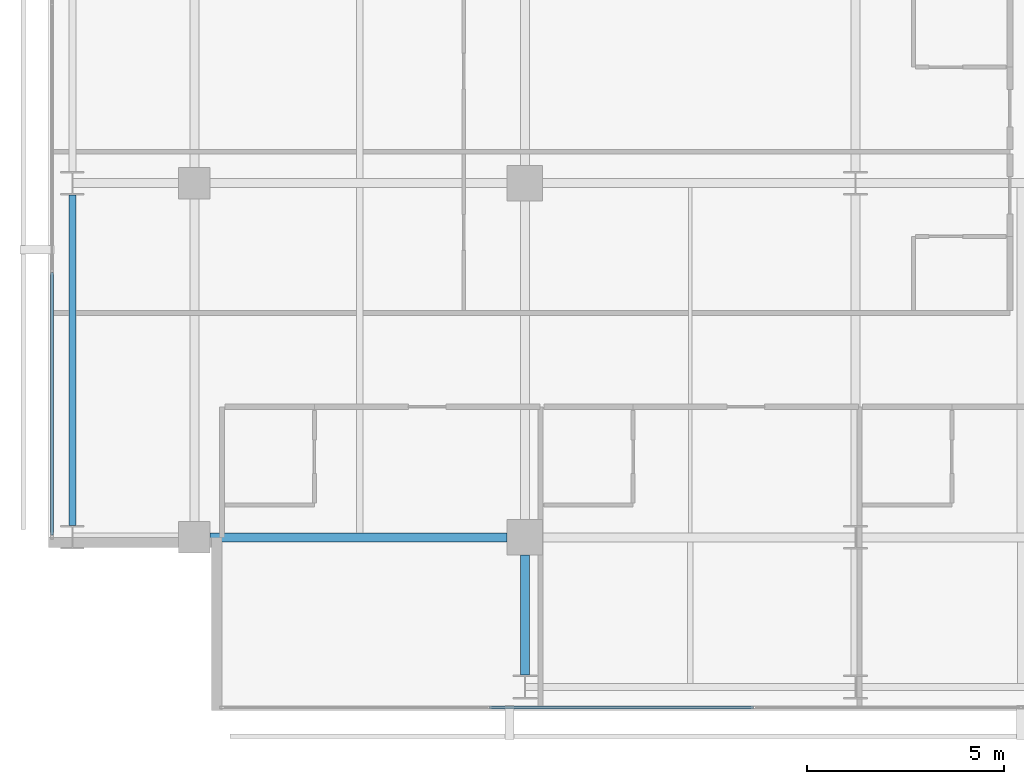
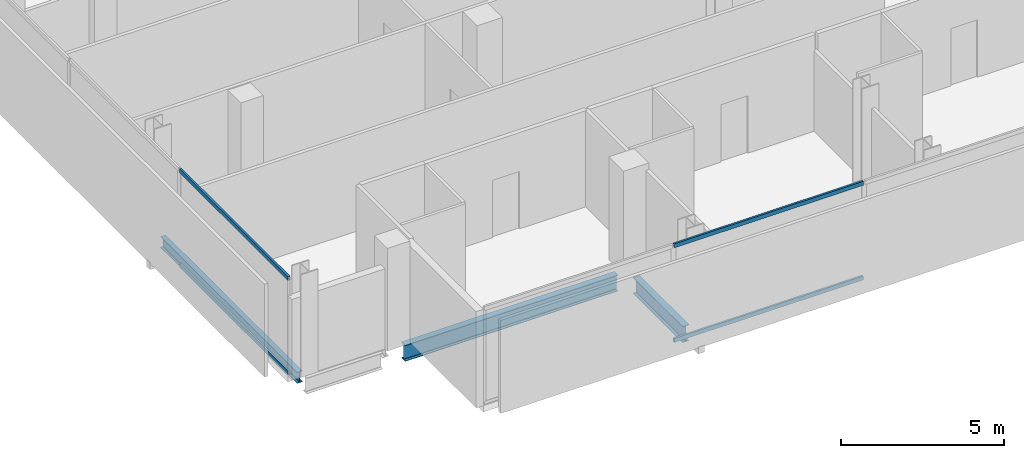
# One storey, part 3 of 34: 4 members, 3 beams, 2 elements without a shape of their own.
"""IFC4 building model written with IfcOpenShell, lengths in metres."""

from ifc_helpers import new_model, si_unit, direction, frame, origin, origin_2d, place, context, subcontext, project, spatial, hollow_rectangle, i_section, extrude, material, layer, layer_set, material_profile, profile_set, type_object, element, aggregate, save


model = new_model("IFC4")

# Units and contexts
model_context = context("Model", 3, precision=1e-05, world=origin(), true_north=direction((0.0, 1.0)))
body_context = subcontext(model_context, "Body", "Model", "MODEL_VIEW")
ifc_project = project(units=[si_unit("LENGTHUNIT", "METRE"), si_unit("AREAUNIT", "SQUARE_METRE"), si_unit("VOLUMEUNIT", "CUBIC_METRE"), si_unit("PLANEANGLEUNIT", "RADIAN"), si_unit("MASSUNIT", "GRAM", prefix="KILO")], contexts=[model_context])

# Site, building, storey
site_placement = place(None, origin())
site = spatial("IfcSite", under=ifc_project, at=site_placement, CompositionType="ELEMENT")
building_placement = place(site_placement, origin())
building = spatial("IfcBuilding", under=site, at=building_placement, Name="Maruvema Waterfront Hotel and Observation Tower", CompositionType="ELEMENT")
storey_placement = place(building_placement, frame((0.0, 0.0, 177.449951171875)))
storey = spatial("IfcBuildingStorey", under=building, at=storey_placement, Name="L43", CompositionType="ELEMENT", Elevation=177.449951171875)

# Curtain wall, members
ifc_material_1 = material(Name="Anodised bronze aluminium and solar-control low-E IGU", Category="aluminium")
ifc_layer = layer(ifc_material_1, 0.159912109375, Name="Zone 2 Amber Inner Thermal Curtain Wall System CW-03")
ifc_layer_set = layer_set([ifc_layer], Name="Anodised bronze aluminium and solar-control low-E IGU")
curtain_wall_type = type_object("IfcCurtainWallType", Name="Zone 2 Amber Inner Thermal Curtain Wall System CW-03", PredefinedType="USERDEFINED", material=ifc_layer_set)
curtain_wall_1_placement = place(storey_placement, origin())
curtain_wall_1 = element("IfcCurtainWall", 1, at=curtain_wall_1_placement, inside=storey, type_object=curtain_wall_type, Name="L43 Curtain Wall CW-L43-S", ObjectType="UNITISED CURTAIN WALL", PredefinedType="USERDEFINED")
ifc_material_2 = material(Name="Anodised architectural bronze aluminium", Category="aluminium")
ifc_material_profile_1 = material_profile(ifc_material_2, hollow_rectangle(XDim=0.070068359375, YDim=0.14990234375, WallThickness=0.00390625, at=origin_2d()), Name="ALU-T70x150")
ifc_profile_set_1 = profile_set([ifc_material_profile_1], Name="Anodised architectural bronze aluminium")
member_type = type_object("IfcMemberType", Name="Curtain Wall Horizontal Transom ALU-T70x150", PredefinedType="USERDEFINED", material=ifc_profile_set_1)
member_1_placement = place(storey_placement, frame((24.296630859375, 4.679931640625, 0.030029296875), z_axis=(1.0, 0.0, 0.0), x_axis=(0.0, 1.0, 0.0)))
member_1 = element("IfcMember", 2, at=member_1_placement, type_object=member_type, Name="CW-03 transom 2.1", ObjectType="TRANSOM", PredefinedType="USERDEFINED", context=body_context, shape_type="SweptSolid", body=[
    extrude(hollow_rectangle(XDim=0.070068359375, YDim=0.14990234375, WallThickness=0.00390625, at=origin_2d()), origin(), (0.0, 0.0, 1.0), 6.706787109375),
])
member_2_placement = place(storey_placement, frame((24.296630859375, 4.679931640625, 3.580078125), z_axis=(1.0, 0.0, 0.0), x_axis=(0.0, 1.0, 0.0)))
member_2 = element("IfcMember", 3, at=member_2_placement, type_object=member_type, Name="CW-03 transom 2.2", ObjectType="TRANSOM", PredefinedType="USERDEFINED", context=body_context, shape_type="SweptSolid", body=[
    extrude(hollow_rectangle(XDim=0.070068359375, YDim=0.14990234375, WallThickness=0.00390625, at=origin_2d()), origin(), (0.0, 0.0, 1.0), 6.706787109375),
])
aggregate(curtain_wall_1, [member_1, member_2])

curtain_wall_2_placement = place(storey_placement, origin())
curtain_wall_2 = element("IfcCurtainWall", 4, at=curtain_wall_2_placement, inside=storey, type_object=curtain_wall_type, Name="L43 Curtain Wall CW-L43-W", ObjectType="UNITISED CURTAIN WALL", PredefinedType="USERDEFINED")
member_3_placement = place(storey_placement, frame((13.179931640625, 15.736572265625, 0.030029296875), z_axis=(0.0, -1.0, 0.0), x_axis=(1.0, 0.0, 0.0)))
member_3 = element("IfcMember", 5, at=member_3_placement, type_object=member_type, Name="CW-03 transom 6.1", ObjectType="TRANSOM", PredefinedType="USERDEFINED", context=body_context, shape_type="SweptSolid", body=[
    extrude(hollow_rectangle(XDim=0.070068359375, YDim=0.14990234375, WallThickness=0.00390625, at=origin_2d()), origin(), (0.0, 0.0, 1.0), 6.676513671875),
])
member_4_placement = place(storey_placement, frame((13.179931640625, 15.736572265625, 3.580078125), z_axis=(0.0, -1.0, 0.0), x_axis=(1.0, 0.0, 0.0)))
member_4 = element("IfcMember", 6, at=member_4_placement, type_object=member_type, Name="CW-03 transom 6.2", ObjectType="TRANSOM", PredefinedType="USERDEFINED", context=body_context, shape_type="SweptSolid", body=[
    extrude(hollow_rectangle(XDim=0.070068359375, YDim=0.14990234375, WallThickness=0.00390625, at=origin_2d()), origin(), (0.0, 0.0, 1.0), 6.676513671875),
])
aggregate(curtain_wall_2, [member_3, member_4])

# Beams
ifc_material_3 = material(Name="Steel ASTM A572 Grade 50", Category="steel")
ifc_material_profile_2 = material_profile(ifc_material_3, i_section(OverallWidth=0.180908203125, OverallDepth=0.4169921875, WebThickness=0.010986328125, FlangeThickness=0.018310546875, FilletRadius=0.014892578125, at=origin_2d()), Name="W410x85.0")
ifc_profile_set_2 = profile_set([ifc_material_profile_2], Name="Steel ASTM A572 Grade 50")
beam_type_1 = type_object("IfcBeamType", Name="Perimeter Spandrel Beam W410x85.0", PredefinedType="SPANDREL", material=ifc_profile_set_2)
beam_1_placement = place(storey_placement, frame((13.699951171875, 9.300048828125, -0.448486328125), z_axis=(0.0, 1.0, 0.0), x_axis=(-1.0, 0.0, 0.0)))
element("IfcBeam", 7, at=beam_1_placement, inside=storey, type_object=beam_type_1, Name="L43 Floor Girder NS-01", PredefinedType="SPANDREL", context=body_context, shape_type="SweptSolid", body=[
    extrude(i_section(OverallWidth=0.180908203125, OverallDepth=0.4169921875, WebThickness=0.010986328125, FlangeThickness=0.018310546875, FilletRadius=0.014892578125, at=origin_2d()), origin(), (0.0, 0.0, 1.0), 8.39990234375),
])
ifc_material_4 = material(Name="Steel ASTM A572 Grade 50", Category="steel")
ifc_material_profile_3 = material_profile(ifc_material_4, i_section(OverallWidth=0.22802734375, OverallDepth=0.60302734375, WebThickness=0.010498046875, FlangeThickness=0.014892578125, FilletRadius=0.01806640625, at=origin_2d()), Name="W610x101.0")
ifc_profile_set_3 = profile_set([ifc_material_profile_3], Name="Steel ASTM A572 Grade 50")
beam_type_2 = type_object("IfcBeamType", Name="Primary Floor Girder W610x101.0", PredefinedType="BEAM", material=ifc_profile_set_3)
beam_2_placement = place(storey_placement, frame((17.199951171875, 9.0, -0.54150390625), z_axis=(1.0, 0.0, 0.0), x_axis=(0.0, 1.0, 0.0)))
element("IfcBeam", 8, at=beam_2_placement, inside=storey, type_object=beam_type_2, Name="L43 Floor Girder EW-05", PredefinedType="BEAM", context=body_context, shape_type="SweptSolid", body=[
    extrude(i_section(OverallWidth=0.22802734375, OverallDepth=0.60302734375, WebThickness=0.010498046875, FlangeThickness=0.014892578125, FilletRadius=0.01806640625, at=origin_2d()), origin(), (0.0, 0.0, 1.0), 7.550048828125),
])
beam_3_placement = place(storey_placement, frame((25.199951171875, 5.5, -0.54150390625), z_axis=(0.0, 1.0, 0.0), x_axis=(-1.0, 0.0, 0.0)))
element("IfcBeam", 9, at=beam_3_placement, inside=storey, type_object=beam_type_2, Name="L43 Floor Girder NS-09", PredefinedType="BEAM", context=body_context, shape_type="SweptSolid", body=[
    extrude(i_section(OverallWidth=0.22802734375, OverallDepth=0.60302734375, WebThickness=0.010498046875, FlangeThickness=0.014892578125, FilletRadius=0.01806640625, at=origin_2d()), origin(), (0.0, 0.0, 1.0), 3.050048828125),
])

save(model, "model.ifc")
